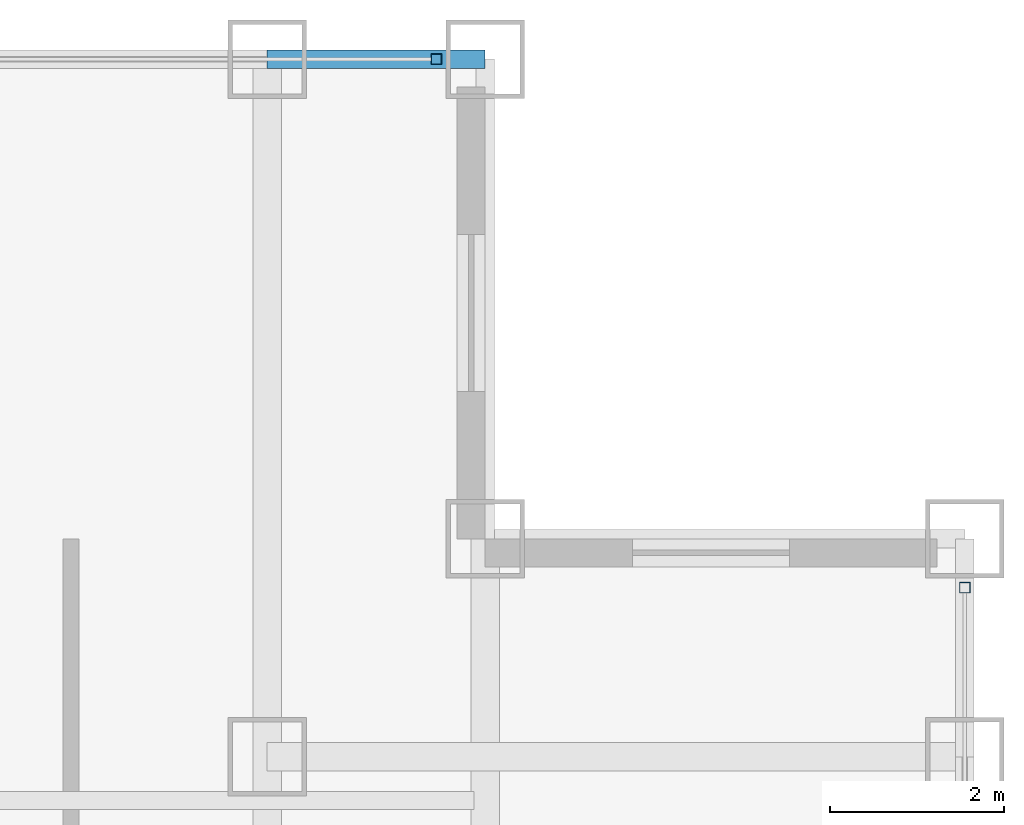
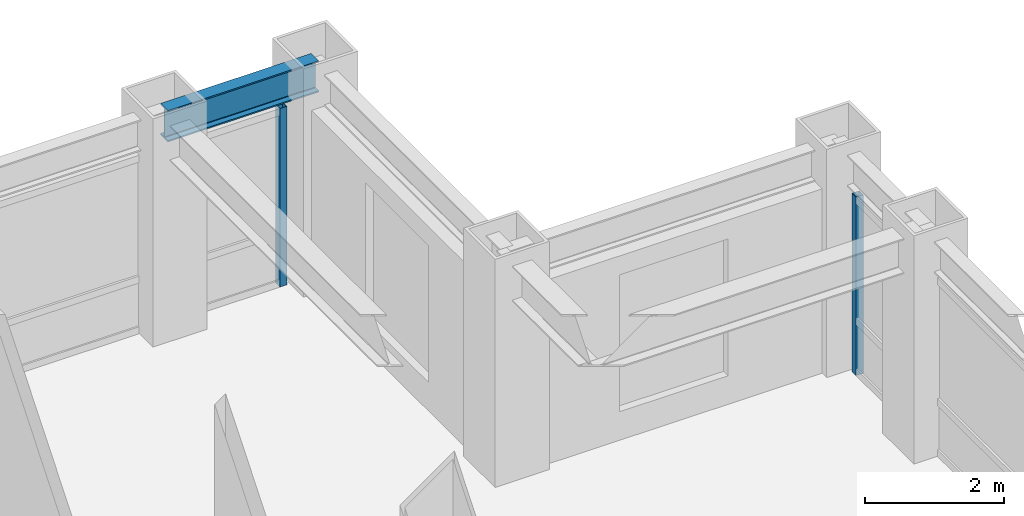
# One storey, part 16 of 22: 2 members, 1 beam, 2 elements without a shape of their own.
"""IFC4 building model written with IfcOpenShell, lengths in metres."""

from ifc_helpers import new_model, si_unit, direction, frame, origin, origin_2d, place, context, subcontext, project, spatial, hollow_rectangle, i_section, extrude, source, transform, mapped, material, material_profile, profile_set, type_object, element, aggregate, save


model = new_model("IFC4")

# Units and contexts
model_context = context("Model", 3, precision=1e-05, world=origin(), true_north=direction((0.0, 1.0)))
body_context = subcontext(model_context, "Body", "Model", "MODEL_VIEW")
ifc_project = project(units=[si_unit("LENGTHUNIT", "METRE"), si_unit("AREAUNIT", "SQUARE_METRE"), si_unit("VOLUMEUNIT", "CUBIC_METRE"), si_unit("PLANEANGLEUNIT", "RADIAN"), si_unit("MASSUNIT", "GRAM", prefix="KILO")], contexts=[model_context])

# Site, building, storey
site_placement = place(None, origin())
site = spatial("IfcSite", under=ifc_project, at=site_placement, CompositionType="ELEMENT")
building_placement = place(site_placement, origin())
building = spatial("IfcBuilding", under=site, at=building_placement, Name="Khorayat Bourse Tower", CompositionType="ELEMENT")
storey_placement = place(building_placement, frame((0.0, 0.0, 297.5)))
storey = spatial("IfcBuildingStorey", under=building, at=storey_placement, Name="L70", CompositionType="ELEMENT", Elevation=297.5)

# Beam
ifc_material_1 = material(Name="Steel ASTM A992 Grade 50", Category="steel")
ifc_material_profile_1 = material_profile(ifc_material_1, i_section(OverallWidth=0.214111328125, OverallDepth=0.549072265625, WebThickness=0.0146484375, FlangeThickness=0.023681640625, FilletRadius=0.013916015625, at=origin_2d()), Name="W530X138")
ifc_profile_set_1 = profile_set([ifc_material_profile_1], Name="Steel ASTM A992 Grade 50")
beam_type = type_object("IfcBeamType", Name="BM-SPAN-530", PredefinedType="SPANDREL", material=ifc_profile_set_1)
shared_shape_1 = source(origin(), body_context, "Body", "SweptSolid", [
    extrude(i_section(OverallWidth=0.214111328125, OverallDepth=0.549072265625, WebThickness=0.0146484375, FlangeThickness=0.023681640625, FilletRadius=0.013916015625, at=origin_2d()), origin(), (0.0, 0.0, 1.0), 2.5),
])
beam_placement = place(storey_placement, frame((20.0, 28.0, 3.505615234375), z_axis=(1.0, 0.0, 0.0), x_axis=(0.0, 1.0, 0.0)))
element("IfcBeam", 1, at=beam_placement, inside=storey, type_object=beam_type, Name="L70 BM-SPAN-530 BM-L70-SPN-044", PredefinedType="SPANDREL", context=body_context, shape_type="MappedRepresentation", body=[
    mapped(shared_shape_1, transform((0.0, 0.0, 0.0), scale=1.0)),
])

# Curtain wall, member
ifc_material_2 = material(Name="Aluminium EN AW-6063 T6", Category="aluminium")
curtain_wall_type = type_object("IfcCurtainWallType", Name="CW-SYS-04", PredefinedType="NOTDEFINED", material=ifc_material_2)
curtain_wall_1_placement = place(storey_placement, origin())
curtain_wall_1 = element("IfcCurtainWall", 2, at=curtain_wall_1_placement, inside=storey, type_object=curtain_wall_type, Name="L70 Curtain Wall CW-L70-N1", PredefinedType="NOTDEFINED")
ifc_material_profile_2 = material_profile(ifc_material_2, hollow_rectangle(XDim=0.1201171875, YDim=0.1201171875, WallThickness=0.0048828125, at=origin_2d()), Name="ALU 120x120x5")
ifc_profile_set_2 = profile_set([ifc_material_profile_2], Name="Aluminium EN AW-6063 T6")
member_type = type_object("IfcMemberType", Name="CWM-VERT-120", PredefinedType="MULLION", material=ifc_profile_set_2)
shared_shape_2 = source(origin(), body_context, "Body", "SweptSolid", [
    extrude(hollow_rectangle(XDim=0.1201171875, YDim=0.1201171875, WallThickness=0.0048828125, at=origin_2d()), origin(), (0.0, 0.0, 1.0), 3.1298828125),
])
member_1_placement = place(storey_placement, frame((21.93994140625, 28.0, 0.0), z_axis=(0.0, 0.0, 1.0), x_axis=(0.0, 1.0, 0.0)))
member_1 = element("IfcMember", 3, at=member_1_placement, type_object=member_type, Name="CW-L70-N1 Vertical Mullion 3", PredefinedType="MULLION", context=body_context, shape_type="MappedRepresentation", body=[
    mapped(shared_shape_2, transform((0.0, 0.0, 0.0), scale=1.0)),
])
aggregate(curtain_wall_1, [member_1])

curtain_wall_2_placement = place(storey_placement, origin())
curtain_wall_2 = element("IfcCurtainWall", 4, at=curtain_wall_2_placement, inside=storey, type_object=curtain_wall_type, Name="L70 Curtain Wall CW-L70-E1", PredefinedType="NOTDEFINED")
member_2_placement = place(storey_placement, frame((28.0, 21.93994140625, 0.0), z_axis=(0.0, 0.0, 1.0), x_axis=(-1.0, 0.0, 0.0)))
member_2 = element("IfcMember", 5, at=member_2_placement, type_object=member_type, Name="CW-L70-E1 Vertical Mullion 3", PredefinedType="MULLION", context=body_context, shape_type="MappedRepresentation", body=[
    mapped(shared_shape_2, transform((0.0, 0.0, 0.0), scale=1.0)),
])
aggregate(curtain_wall_2, [member_2])

save(model, "model.ifc")
